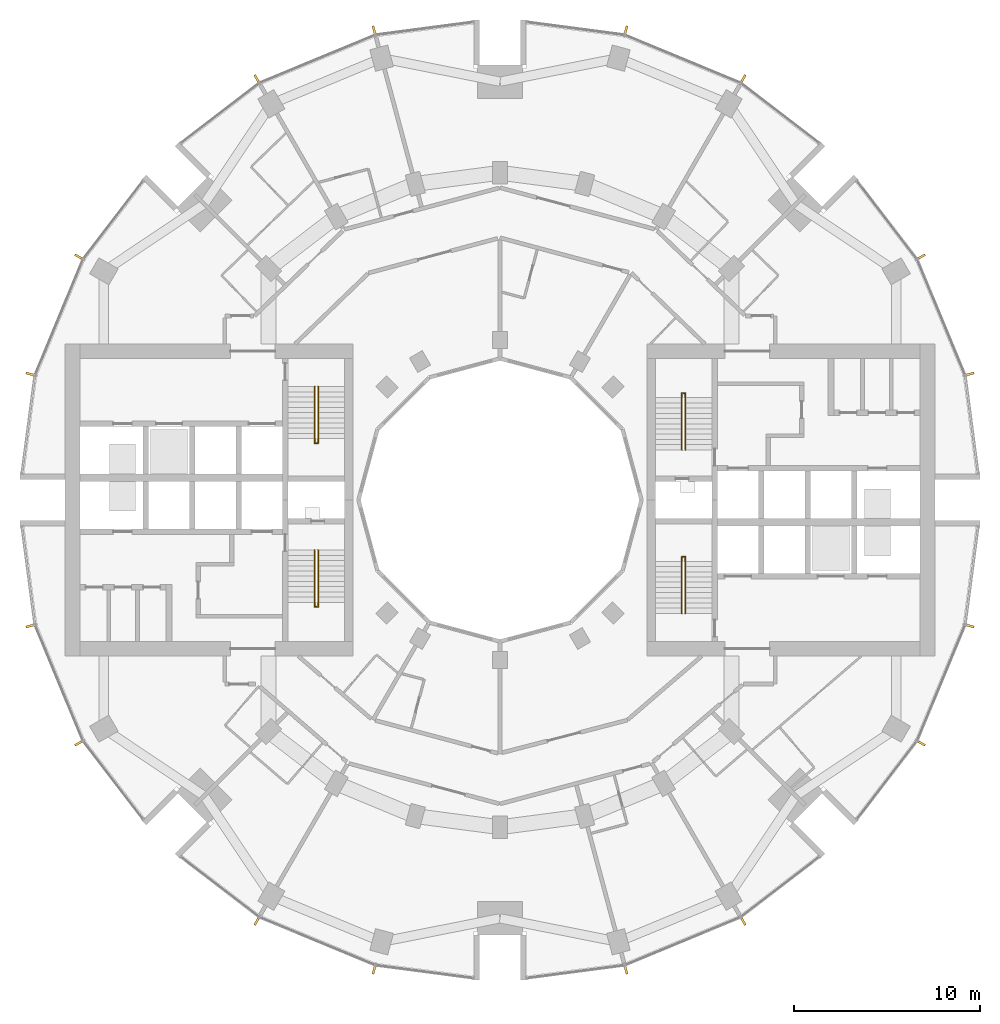
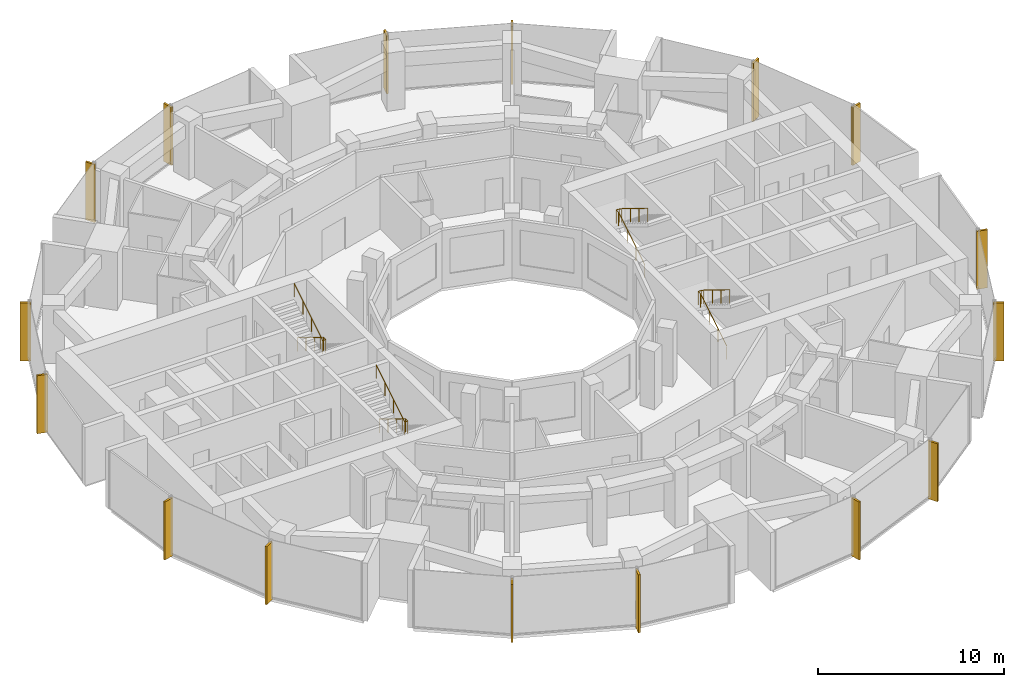
# One storey, part 14 of 15: 16 shading devices, 4 railings.
"""IFC4 building model written with IfcOpenShell, lengths in metres."""

from ifc_helpers import new_model, si_unit, direction, frame, origin, origin_2d, place, context, subcontext, project, spatial, rectangle, circle, extrude, material, material_profile, profile_set, type_object, element, save


model = new_model("IFC4")

# Units and contexts
model_context = context("Model", 3, precision=1e-05, world=origin(), true_north=direction((0.0, 1.0)))
body_context = subcontext(model_context, "Body", "Model", "MODEL_VIEW")
ifc_project = project(units=[si_unit("LENGTHUNIT", "METRE"), si_unit("AREAUNIT", "SQUARE_METRE"), si_unit("VOLUMEUNIT", "CUBIC_METRE"), si_unit("PLANEANGLEUNIT", "RADIAN"), si_unit("MASSUNIT", "GRAM", prefix="KILO")], contexts=[model_context])

# Site, building, storey
site_placement = place(None, origin())
site = spatial("IfcSite", under=ifc_project, at=site_placement, CompositionType="ELEMENT")
building_placement = place(site_placement, origin())
building = spatial("IfcBuilding", under=site, at=building_placement, Name="Torre Brocal", CompositionType="ELEMENT")
storey_placement = place(building_placement, frame((0.0, 0.0, 97.60009765625)))
storey = spatial("IfcBuildingStorey", under=building, at=storey_placement, Name="L22", CompositionType="ELEMENT", Elevation=97.60009765625)

# Shading devices
ifc_material_1 = material(Name="Aluminium, black anodised", Category="aluminium")
ifc_material_profile = material_profile(ifc_material_1, rectangle(XDim=0.1201171875, YDim=0.60009765625, at=origin_2d()), Name="FIN 120X600 3800 HIGH")
ifc_profile_set = profile_set([ifc_material_profile], Name="Aluminium, black anodised")
shading_device_type = type_object("IfcShadingDeviceType", Name="FIN 120X600 3800 HIGH", PredefinedType="USERDEFINED", material=ifc_profile_set)
for number, where, z_axis, x_axis, name in (
    (1, (105.208984375, 81.754638671875, -0.150146484375), (0.0, 0.0, 1.0), (-0.258819045103, 0.965925826289, 0.0), "FIN"),
    (2, (102.601806640625, 88.049072265625, -0.150146484375), (0.0, 0.0, 1.0), (-0.5, 0.866025403784, 0.0), "FIN"),
    (3, (93.049072265625, 97.601806640625, -0.150146484375), (0.0, 0.0, 1.0), (-0.866025403784, 0.5, 0.0), "FIN"),
    (4, (86.754638671875, 100.208984375, -0.150146484375), (0.0, 0.0, 1.0), (-0.965925826289, 0.258819045103, 0.0), "FIN"),
    (5, (73.245361328125, 100.208984375, -0.150146484375), (0.0, 0.0, 1.0), (-0.965925826289, -0.258819045103, 0.0), "FIN"),
    (6, (66.950927734375, 97.601806640625, -0.150146484375), (0.0, 0.0, 1.0), (-0.866025403784, -0.5, 0.0), "FIN"),
    (7, (57.398193359375, 88.049072265625, -0.150146484375), (0.0, 0.0, 1.0), (-0.5, -0.866025403784, 0.0), "FIN"),
    (8, (54.791015625, 81.754638671875, -0.150146484375), (0.0, 0.0, 1.0), (-0.258819045103, -0.965925826289, 0.0), "FIN"),
    (9, (54.791015625, 68.245361328125, -0.150146484375), (0.0, 0.0, 1.0), (0.258819045103, -0.965925826289, 0.0), "FIN"),
    (10, (57.398193359375, 61.950927734375, -0.150146484375), (0.0, 0.0, 1.0), (0.5, -0.866025403784, 0.0), "FIN"),
    (11, (66.950927734375, 52.398193359375, -0.150146484375), (0.0, 0.0, 1.0), (0.866025403784, -0.5, 0.0), "FIN"),
    (12, (73.245361328125, 49.791015625, -0.150146484375), (0.0, 0.0, 1.0), (0.965925826289, -0.258819045103, 0.0), "FIN"),
    (13, (86.754638671875, 49.791015625, -0.150146484375), (0.0, 0.0, 1.0), (0.965925826289, 0.258819045103, 0.0), "FIN"),
    (14, (93.049072265625, 52.398193359375, -0.150146484375), (0.0, 0.0, 1.0), (0.866025403784, 0.5, 0.0), "FIN"),
    (15, (102.601806640625, 61.950927734375, -0.150146484375), (0.0, 0.0, 1.0), (0.5, 0.866025403784, 0.0), "FIN"),
    (16, (105.208984375, 68.245361328125, -0.150146484375), (0.0, 0.0, 1.0), (0.258819045103, 0.965925826289, 0.0), "FIN"),
):
    element("IfcShadingDevice", number, at=place(storey_placement, frame(where, z_axis=z_axis, x_axis=x_axis)), inside=storey, type_object=shading_device_type, Name=name, ObjectType="FIN", PredefinedType="USERDEFINED", context=body_context, shape_type="SweptSolid", body=[
        extrude(rectangle(XDim=0.1201171875, YDim=0.60009765625, at=origin_2d()), origin(), (0.0, 0.0, 1.0), 3.800048828125),
    ])

# Railings
ifc_material_2 = material(Name="Stainless steel AISI 316", Category="steel")
railing_type = type_object("IfcRailingType", Name="STAIR HANDRAIL", PredefinedType="HANDRAIL", material=ifc_material_2)
railing_1_placement = place(storey_placement, frame((89.780029296875, 77.699951171875, 0.172607421875)))
element("IfcRailing", 17, at=railing_1_placement, inside=storey, type_object=railing_type, Name="HANDRAIL ST1", PredefinedType="HANDRAIL", context=body_context, shape_type="SweptSolid", body=[
    extrude(circle(Radius=0.02392578125, at=origin_2d()), frame((0.0, 0.0, 0.8759765625), z_axis=(0.0, 0.851089632645, 0.525020415988), x_axis=(-1.0, 0.0, 0.0)), (0.0, 0.0, 1.0), 3.2900390625),
    extrude(circle(Radius=0.02392578125, at=origin_2d()), frame((0.0, 2.800048828125, 2.60302734375), z_axis=(0.0, 1.0, 0.0), x_axis=(-1.0, 0.0, 0.0)), (0.0, 0.0, 1.0), 0.25),
    extrude(circle(Radius=0.02392578125, at=origin_2d()), frame((0.0, 3.050048828125, 2.60302734375), z_axis=(1.0, 0.0, 0.0), x_axis=(0.0, 1.0, 0.0)), (0.0, 0.0, 1.0), 0.18994140625),
    extrude(circle(Radius=0.02392578125, at=origin_2d()), frame((0.18994140625, 3.050048828125, 2.60302734375), z_axis=(0.0, -0.822914792866, 0.568164803277), x_axis=(1.0, 0.0, 0.0)), (0.0, 0.0, 1.0), 0.3037109375),
    extrude(circle(Radius=0.02392578125, at=origin_2d()), frame((0.18994140625, 2.800048828125, 2.77587890625), z_axis=(0.0, -0.851089632645, 0.525020415988), x_axis=(1.0, 0.0, 0.0)), (0.0, 0.0, 1.0), 3.2900390625),
    extrude(circle(Radius=0.02099609375, at=origin_2d()), origin(), (0.0, 0.0, 1.0), 0.851806640625),
    extrude(circle(Radius=0.02099609375, at=origin_2d()), frame((0.0, 0.933349609375, 0.57568359375)), (0.0, 0.0, 1.0), 0.851806640625),
    extrude(circle(Radius=0.02099609375, at=origin_2d()), frame((0.0, 1.86669921875, 1.151611328125)), (0.0, 0.0, 1.0), 0.851806640625),
    extrude(circle(Radius=0.02099609375, at=origin_2d()), frame((0.0, 2.800048828125, 1.727294921875)), (0.0, 0.0, 1.0), 0.851806640625),
    extrude(circle(Radius=0.02099609375, at=origin_2d()), frame((0.0, 3.050048828125, 1.727294921875)), (0.0, 0.0, 1.0), 0.851806640625),
    extrude(circle(Radius=0.02099609375, at=origin_2d()), frame((0.18994140625, 3.050048828125, 1.727294921875)), (0.0, 0.0, 1.0), 0.851806640625),
    extrude(circle(Radius=0.02099609375, at=origin_2d()), frame((0.18994140625, 2.800048828125, 1.89990234375)), (0.0, 0.0, 1.0), 0.851806640625),
    extrude(circle(Radius=0.02099609375, at=origin_2d()), frame((0.18994140625, 1.86669921875, 2.4755859375)), (0.0, 0.0, 1.0), 0.851806640625),
    extrude(circle(Radius=0.02099609375, at=origin_2d()), frame((0.18994140625, 0.933349609375, 3.051513671875)), (0.0, 0.0, 1.0), 0.851806640625),
    extrude(circle(Radius=0.02099609375, at=origin_2d()), frame((0.18994140625, 0.0, 3.627197265625)), (0.0, 0.0, 1.0), 0.851806640625),
])
railing_2_placement = place(storey_placement, frame((89.780029296875, 68.89990234375, 0.172607421875)))
element("IfcRailing", 18, at=railing_2_placement, inside=storey, type_object=railing_type, Name="HANDRAIL ST2", PredefinedType="HANDRAIL", context=body_context, shape_type="SweptSolid", body=[
    extrude(circle(Radius=0.02392578125, at=origin_2d()), frame((0.0, 0.0, 0.8759765625), z_axis=(0.0, 0.851089632645, 0.525020415988), x_axis=(-1.0, 0.0, 0.0)), (0.0, 0.0, 1.0), 3.2900390625),
    extrude(circle(Radius=0.02392578125, at=origin_2d()), frame((0.0, 2.800048828125, 2.60302734375), z_axis=(0.0, 1.0, 0.0), x_axis=(-1.0, 0.0, 0.0)), (0.0, 0.0, 1.0), 0.25),
    extrude(circle(Radius=0.02392578125, at=origin_2d()), frame((0.0, 3.050048828125, 2.60302734375), z_axis=(1.0, 0.0, 0.0), x_axis=(0.0, 1.0, 0.0)), (0.0, 0.0, 1.0), 0.18994140625),
    extrude(circle(Radius=0.02392578125, at=origin_2d()), frame((0.18994140625, 3.050048828125, 2.60302734375), z_axis=(0.0, -0.822914792866, 0.568164803277), x_axis=(1.0, 0.0, 0.0)), (0.0, 0.0, 1.0), 0.3037109375),
    extrude(circle(Radius=0.02392578125, at=origin_2d()), frame((0.18994140625, 2.800048828125, 2.77587890625), z_axis=(0.0, -0.851089632645, 0.525020415988), x_axis=(1.0, 0.0, 0.0)), (0.0, 0.0, 1.0), 3.2900390625),
    extrude(circle(Radius=0.02099609375, at=origin_2d()), origin(), (0.0, 0.0, 1.0), 0.851806640625),
    extrude(circle(Radius=0.02099609375, at=origin_2d()), frame((0.0, 0.933349609375, 0.57568359375)), (0.0, 0.0, 1.0), 0.851806640625),
    extrude(circle(Radius=0.02099609375, at=origin_2d()), frame((0.0, 1.86669921875, 1.151611328125)), (0.0, 0.0, 1.0), 0.851806640625),
    extrude(circle(Radius=0.02099609375, at=origin_2d()), frame((0.0, 2.800048828125, 1.727294921875)), (0.0, 0.0, 1.0), 0.851806640625),
    extrude(circle(Radius=0.02099609375, at=origin_2d()), frame((0.0, 3.050048828125, 1.727294921875)), (0.0, 0.0, 1.0), 0.851806640625),
    extrude(circle(Radius=0.02099609375, at=origin_2d()), frame((0.18994140625, 3.050048828125, 1.727294921875)), (0.0, 0.0, 1.0), 0.851806640625),
    extrude(circle(Radius=0.02099609375, at=origin_2d()), frame((0.18994140625, 2.800048828125, 1.89990234375)), (0.0, 0.0, 1.0), 0.851806640625),
    extrude(circle(Radius=0.02099609375, at=origin_2d()), frame((0.18994140625, 1.86669921875, 2.4755859375)), (0.0, 0.0, 1.0), 0.851806640625),
    extrude(circle(Radius=0.02099609375, at=origin_2d()), frame((0.18994140625, 0.933349609375, 3.051513671875)), (0.0, 0.0, 1.0), 0.851806640625),
    extrude(circle(Radius=0.02099609375, at=origin_2d()), frame((0.18994140625, 0.0, 3.627197265625)), (0.0, 0.0, 1.0), 0.851806640625),
])
railing_3_placement = place(storey_placement, frame((70.219970703125, 72.300048828125, 0.172607421875)))
element("IfcRailing", 19, at=railing_3_placement, inside=storey, type_object=railing_type, Name="HANDRAIL ST3", PredefinedType="HANDRAIL", context=body_context, shape_type="SweptSolid", body=[
    extrude(circle(Radius=0.02392578125, at=origin_2d()), frame((0.0, 0.0, 0.8759765625), z_axis=(0.0, -0.851089632645, 0.525020415988), x_axis=(1.0, 0.0, 0.0)), (0.0, 0.0, 1.0), 3.2900390625),
    extrude(circle(Radius=0.02392578125, at=origin_2d()), frame((0.0, -2.800048828125, 2.60302734375), z_axis=(0.0, -1.0, 0.0), x_axis=(1.0, 0.0, 0.0)), (0.0, 0.0, 1.0), 0.25),
    extrude(circle(Radius=0.02392578125, at=origin_2d()), frame((0.0, -3.050048828125, 2.60302734375), z_axis=(-1.0, 0.0, 0.0), x_axis=(0.0, -1.0, 0.0)), (0.0, 0.0, 1.0), 0.18994140625),
    extrude(circle(Radius=0.02392578125, at=origin_2d()), frame((-0.18994140625, -3.050048828125, 2.60302734375), z_axis=(0.0, 0.822914792866, 0.568164803277), x_axis=(-1.0, 0.0, 0.0)), (0.0, 0.0, 1.0), 0.3037109375),
    extrude(circle(Radius=0.02392578125, at=origin_2d()), frame((-0.18994140625, -2.800048828125, 2.77587890625), z_axis=(0.0, 0.851089632645, 0.525020415988), x_axis=(-1.0, 0.0, 0.0)), (0.0, 0.0, 1.0), 3.2900390625),
    extrude(circle(Radius=0.02099609375, at=origin_2d()), origin(), (0.0, 0.0, 1.0), 0.851806640625),
    extrude(circle(Radius=0.02099609375, at=origin_2d()), frame((0.0, -0.933349609375, 0.57568359375)), (0.0, 0.0, 1.0), 0.851806640625),
    extrude(circle(Radius=0.02099609375, at=origin_2d()), frame((0.0, -1.86669921875, 1.151611328125)), (0.0, 0.0, 1.0), 0.851806640625),
    extrude(circle(Radius=0.02099609375, at=origin_2d()), frame((0.0, -2.800048828125, 1.727294921875)), (0.0, 0.0, 1.0), 0.851806640625),
    extrude(circle(Radius=0.02099609375, at=origin_2d()), frame((0.0, -3.050048828125, 1.727294921875)), (0.0, 0.0, 1.0), 0.851806640625),
    extrude(circle(Radius=0.02099609375, at=origin_2d()), frame((-0.18994140625, -3.050048828125, 1.727294921875)), (0.0, 0.0, 1.0), 0.851806640625),
    extrude(circle(Radius=0.02099609375, at=origin_2d()), frame((-0.18994140625, -2.800048828125, 1.89990234375)), (0.0, 0.0, 1.0), 0.851806640625),
    extrude(circle(Radius=0.02099609375, at=origin_2d()), frame((-0.18994140625, -1.86669921875, 2.4755859375)), (0.0, 0.0, 1.0), 0.851806640625),
    extrude(circle(Radius=0.02099609375, at=origin_2d()), frame((-0.18994140625, -0.933349609375, 3.051513671875)), (0.0, 0.0, 1.0), 0.851806640625),
    extrude(circle(Radius=0.02099609375, at=origin_2d()), frame((-0.18994140625, 0.0, 3.627197265625)), (0.0, 0.0, 1.0), 0.851806640625),
])
railing_4_placement = place(storey_placement, frame((70.219970703125, 81.10009765625, 0.172607421875)))
element("IfcRailing", 20, at=railing_4_placement, inside=storey, type_object=railing_type, Name="HANDRAIL ST4", PredefinedType="HANDRAIL", context=body_context, shape_type="SweptSolid", body=[
    extrude(circle(Radius=0.02392578125, at=origin_2d()), frame((0.0, 0.0, 0.8759765625), z_axis=(0.0, -0.851089632645, 0.525020415988), x_axis=(1.0, 0.0, 0.0)), (0.0, 0.0, 1.0), 3.2900390625),
    extrude(circle(Radius=0.02392578125, at=origin_2d()), frame((0.0, -2.800048828125, 2.60302734375), z_axis=(0.0, -1.0, 0.0), x_axis=(1.0, 0.0, 0.0)), (0.0, 0.0, 1.0), 0.25),
    extrude(circle(Radius=0.02392578125, at=origin_2d()), frame((0.0, -3.050048828125, 2.60302734375), z_axis=(-1.0, 0.0, 0.0), x_axis=(0.0, -1.0, 0.0)), (0.0, 0.0, 1.0), 0.18994140625),
    extrude(circle(Radius=0.02392578125, at=origin_2d()), frame((-0.18994140625, -3.050048828125, 2.60302734375), z_axis=(0.0, 0.822914792866, 0.568164803277), x_axis=(-1.0, 0.0, 0.0)), (0.0, 0.0, 1.0), 0.3037109375),
    extrude(circle(Radius=0.02392578125, at=origin_2d()), frame((-0.18994140625, -2.800048828125, 2.77587890625), z_axis=(0.0, 0.851089632645, 0.525020415988), x_axis=(-1.0, 0.0, 0.0)), (0.0, 0.0, 1.0), 3.2900390625),
    extrude(circle(Radius=0.02099609375, at=origin_2d()), origin(), (0.0, 0.0, 1.0), 0.851806640625),
    extrude(circle(Radius=0.02099609375, at=origin_2d()), frame((0.0, -0.933349609375, 0.57568359375)), (0.0, 0.0, 1.0), 0.851806640625),
    extrude(circle(Radius=0.02099609375, at=origin_2d()), frame((0.0, -1.86669921875, 1.151611328125)), (0.0, 0.0, 1.0), 0.851806640625),
    extrude(circle(Radius=0.02099609375, at=origin_2d()), frame((0.0, -2.800048828125, 1.727294921875)), (0.0, 0.0, 1.0), 0.851806640625),
    extrude(circle(Radius=0.02099609375, at=origin_2d()), frame((0.0, -3.050048828125, 1.727294921875)), (0.0, 0.0, 1.0), 0.851806640625),
    extrude(circle(Radius=0.02099609375, at=origin_2d()), frame((-0.18994140625, -3.050048828125, 1.727294921875)), (0.0, 0.0, 1.0), 0.851806640625),
    extrude(circle(Radius=0.02099609375, at=origin_2d()), frame((-0.18994140625, -2.800048828125, 1.89990234375)), (0.0, 0.0, 1.0), 0.851806640625),
    extrude(circle(Radius=0.02099609375, at=origin_2d()), frame((-0.18994140625, -1.86669921875, 2.4755859375)), (0.0, 0.0, 1.0), 0.851806640625),
    extrude(circle(Radius=0.02099609375, at=origin_2d()), frame((-0.18994140625, -0.933349609375, 3.051513671875)), (0.0, 0.0, 1.0), 0.851806640625),
    extrude(circle(Radius=0.02099609375, at=origin_2d()), frame((-0.18994140625, 0.0, 3.627197265625)), (0.0, 0.0, 1.0), 0.851806640625),
])

save(model, "model.ifc")
